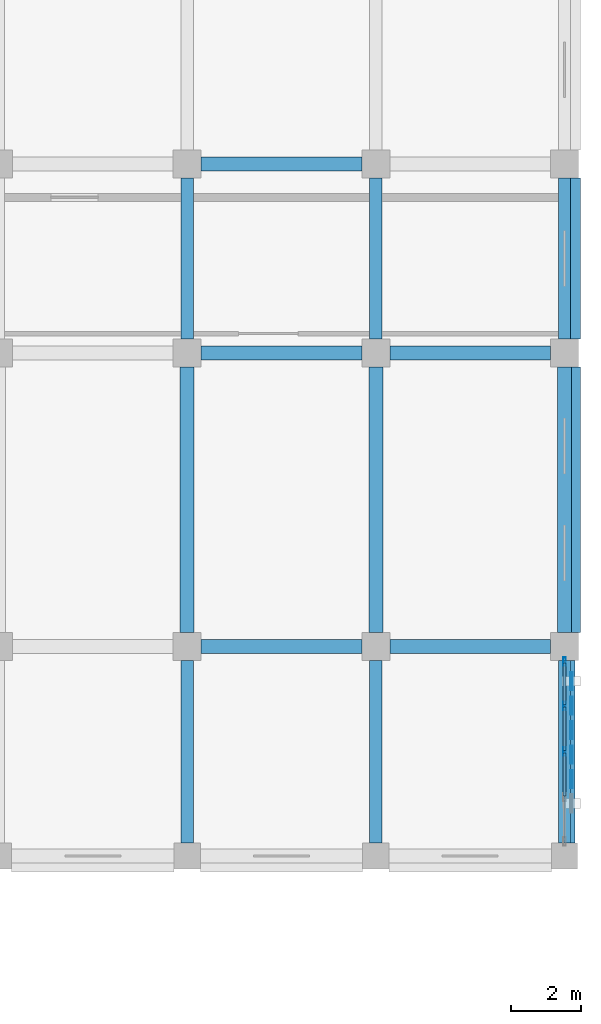
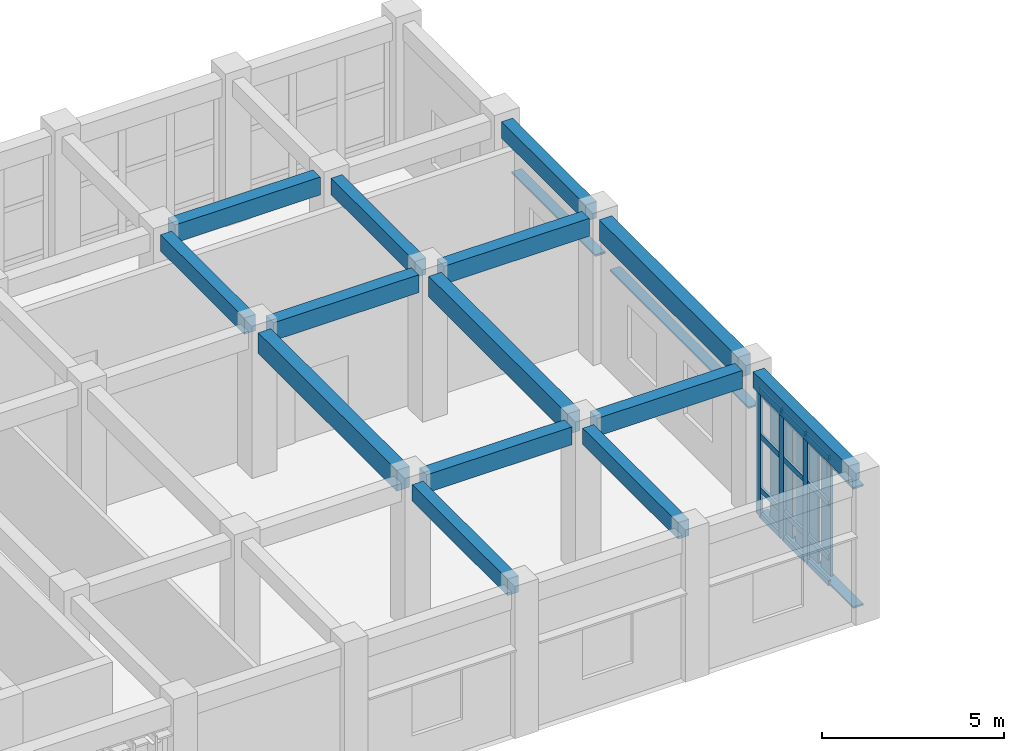
# One storey, part 53 of 93: 24 members, 14 beams, 1 element without a shape of its own.
"""IFC4 building model written with IfcOpenShell, lengths in metres."""

from ifc_helpers import new_model, si_unit, direction, frame, origin, origin_2d, place, context, subcontext, project, spatial, rectangle, hollow_rectangle, extrude, material, layer, layer_set, material_profile, profile_set, type_object, element, aggregate, save


model = new_model("IFC4")

# Units and contexts
model_context = context("Model", 3, precision=1e-05, world=origin(), true_north=direction((0.0, 1.0)))
body_context = subcontext(model_context, "Body", "Model", "MODEL_VIEW")
ifc_project = project(units=[si_unit("LENGTHUNIT", "METRE"), si_unit("AREAUNIT", "SQUARE_METRE"), si_unit("VOLUMEUNIT", "CUBIC_METRE"), si_unit("PLANEANGLEUNIT", "RADIAN"), si_unit("MASSUNIT", "GRAM", prefix="KILO")], contexts=[model_context])

# Site, building, storey
site_placement = place(None, origin())
site = spatial("IfcSite", under=ifc_project, at=site_placement, CompositionType="ELEMENT")
building_placement = place(site_placement, origin())
building = spatial("IfcBuilding", under=site, at=building_placement, Name="Krzemoval Escarpment Law Courts", CompositionType="ELEMENT")
storey_placement = place(building_placement, frame((0.0, 0.0, 10.199951171875)))
storey = spatial("IfcBuildingStorey", under=building, at=storey_placement, Name="L02", CompositionType="ELEMENT", Elevation=10.199951171875)

# Beams
ifc_material_1 = material(Name="Concrete C40/50", Category="concrete")
ifc_material_profile_1 = material_profile(ifc_material_1, rectangle(XDim=0.35009765625, YDim=0.550048828125, at=origin_2d()), Name="RCB 350x550")
ifc_profile_set_1 = profile_set([ifc_material_profile_1], Name="Concrete C40/50")
beam_type_1 = type_object("IfcBeamType", Name="BM-RC-350x550", PredefinedType="BEAM", material=ifc_profile_set_1)
beam_1_placement = place(storey_placement, frame((162.0, 93.97509765625, 4.545166015625), z_axis=(0.0, 1.0, 0.0), x_axis=(-1.0, 0.0, 0.0)))
element("IfcBeam", 1, at=beam_1_placement, inside=storey, type_object=beam_type_1, Name="Beam FG-L02-1999", PredefinedType="BEAM", context=body_context, shape_type="SweptSolid", body=[
    extrude(rectangle(XDim=0.35009765625, YDim=0.550048828125, at=origin_2d()), origin(), (0.0, 0.0, 1.0), 5.224853515625),
])
beam_2_placement = place(storey_placement, frame((162.0, 108.39990234375, 4.545166015625), z_axis=(0.0, 1.0, 0.0), x_axis=(-1.0, 0.0, 0.0)))
element("IfcBeam", 2, at=beam_2_placement, inside=storey, type_object=beam_type_1, Name="Beam FG-L02-2001", PredefinedType="BEAM", context=body_context, shape_type="SweptSolid", body=[
    extrude(rectangle(XDim=0.35009765625, YDim=0.550048828125, at=origin_2d()), origin(), (0.0, 0.0, 1.0), 4.60009765625),
])
beam_3_placement = place(storey_placement, frame((167.39990234375, 93.97509765625, 4.545166015625), z_axis=(0.0, 1.0, 0.0), x_axis=(-1.0, 0.0, 0.0)))
element("IfcBeam", 3, at=beam_3_placement, inside=storey, type_object=beam_type_1, Name="Beam FG-L02-2003", PredefinedType="BEAM", context=body_context, shape_type="SweptSolid", body=[
    extrude(rectangle(XDim=0.35009765625, YDim=0.550048828125, at=origin_2d()), origin(), (0.0, 0.0, 1.0), 5.224853515625),
])
beam_4_placement = place(storey_placement, frame((167.39990234375, 108.39990234375, 4.545166015625), z_axis=(0.0, 1.0, 0.0), x_axis=(-1.0, 0.0, 0.0)))
element("IfcBeam", 4, at=beam_4_placement, inside=storey, type_object=beam_type_1, Name="Beam FG-L02-2005", PredefinedType="BEAM", context=body_context, shape_type="SweptSolid", body=[
    extrude(rectangle(XDim=0.35009765625, YDim=0.550048828125, at=origin_2d()), origin(), (0.0, 0.0, 1.0), 4.60009765625),
])
beam_5_placement = place(storey_placement, frame((172.800048828125, 93.97509765625, 4.545166015625), z_axis=(0.0, 1.0, 0.0), x_axis=(-1.0, 0.0, 0.0)))
element("IfcBeam", 5, at=beam_5_placement, inside=storey, type_object=beam_type_1, Name="Beam FG-L02-2007", PredefinedType="BEAM", context=body_context, shape_type="SweptSolid", body=[
    extrude(rectangle(XDim=0.35009765625, YDim=0.550048828125, at=origin_2d()), origin(), (0.0, 0.0, 1.0), 5.224853515625),
])
beam_6_placement = place(storey_placement, frame((172.800048828125, 108.39990234375, 4.545166015625), z_axis=(0.0, 1.0, 0.0), x_axis=(-1.0, 0.0, 0.0)))
element("IfcBeam", 6, at=beam_6_placement, inside=storey, type_object=beam_type_1, Name="Beam FG-L02-2009", PredefinedType="BEAM", context=body_context, shape_type="SweptSolid", body=[
    extrude(rectangle(XDim=0.35009765625, YDim=0.550048828125, at=origin_2d()), origin(), (0.0, 0.0, 1.0), 4.60009765625),
])
ifc_material_2 = material(Name="Concrete C40/50", Category="concrete")
ifc_material_profile_2 = material_profile(ifc_material_2, rectangle(XDim=0.39990234375, YDim=0.60009765625, at=origin_2d()), Name="RCB 400x600")
ifc_profile_set_2 = profile_set([ifc_material_profile_2], Name="Concrete C40/50")
beam_type_2 = type_object("IfcBeamType", Name="BM-RC-400x600", PredefinedType="BEAM", material=ifc_profile_set_2)
beam_7_placement = place(storey_placement, frame((162.39990234375, 99.60009765625, 4.52001953125), z_axis=(1.0, 0.0, 0.0), x_axis=(0.0, 1.0, 0.0)))
element("IfcBeam", 7, at=beam_7_placement, inside=storey, type_object=beam_type_2, Name="Beam FG-L02-1825", PredefinedType="BEAM", context=body_context, shape_type="SweptSolid", body=[
    extrude(rectangle(XDim=0.39990234375, YDim=0.60009765625, at=origin_2d()), origin(), (0.0, 0.0, 1.0), 4.60009765625),
])
beam_8_placement = place(storey_placement, frame((167.800048828125, 99.60009765625, 4.52001953125), z_axis=(1.0, 0.0, 0.0), x_axis=(0.0, 1.0, 0.0)))
element("IfcBeam", 8, at=beam_8_placement, inside=storey, type_object=beam_type_2, Name="Beam FG-L02-1826", PredefinedType="BEAM", context=body_context, shape_type="SweptSolid", body=[
    extrude(rectangle(XDim=0.39990234375, YDim=0.60009765625, at=origin_2d()), origin(), (0.0, 0.0, 1.0), 4.599853515625),
])
beam_9_placement = place(storey_placement, frame((162.39990234375, 108.0, 4.52001953125), z_axis=(1.0, 0.0, 0.0), x_axis=(0.0, 1.0, 0.0)))
element("IfcBeam", 9, at=beam_9_placement, inside=storey, type_object=beam_type_2, Name="Beam FG-L02-1833", PredefinedType="BEAM", context=body_context, shape_type="SweptSolid", body=[
    extrude(rectangle(XDim=0.39990234375, YDim=0.60009765625, at=origin_2d()), origin(), (0.0, 0.0, 1.0), 4.60009765625),
])
beam_10_placement = place(storey_placement, frame((167.800048828125, 108.0, 4.52001953125), z_axis=(1.0, 0.0, 0.0), x_axis=(0.0, 1.0, 0.0)))
element("IfcBeam", 10, at=beam_10_placement, inside=storey, type_object=beam_type_2, Name="Beam FG-L02-1834", PredefinedType="BEAM", context=body_context, shape_type="SweptSolid", body=[
    extrude(rectangle(XDim=0.39990234375, YDim=0.60009765625, at=origin_2d()), origin(), (0.0, 0.0, 1.0), 4.599853515625),
])
beam_11_placement = place(storey_placement, frame((162.39990234375, 113.39990234375, 4.52001953125), z_axis=(1.0, 0.0, 0.0), x_axis=(0.0, 1.0, 0.0)))
element("IfcBeam", 11, at=beam_11_placement, inside=storey, type_object=beam_type_2, Name="Beam FG-L02-1844", PredefinedType="BEAM", context=body_context, shape_type="SweptSolid", body=[
    extrude(rectangle(XDim=0.39990234375, YDim=0.60009765625, at=origin_2d()), origin(), (0.0, 0.0, 1.0), 4.60009765625),
])
ifc_material_3 = material(Name="Concrete C40/50", Category="concrete")
ifc_material_profile_3 = material_profile(ifc_material_3, rectangle(XDim=0.39990234375, YDim=0.699951171875, at=origin_2d()), Name="RCB 400x700")
ifc_profile_set_3 = profile_set([ifc_material_profile_3], Name="Concrete C40/50")
beam_type_3 = type_object("IfcBeamType", Name="BM-RC-400x700", PredefinedType="BEAM", material=ifc_profile_set_3)
for number, where, z_axis, x_axis, name in (
    (12, (162.0, 100.0, 4.469970703125), (0.0, 1.0, 0.0), (-1.0, 0.0, 0.0), "Beam FG-L02-2000"),
    (13, (167.39990234375, 100.0, 4.469970703125), (0.0, 1.0, 0.0), (-1.0, 0.0, 0.0), "Beam FG-L02-2004"),
    (14, (172.800048828125, 100.0, 4.469970703125), (0.0, 1.0, 0.0), (-1.0, 0.0, 0.0), "Beam FG-L02-2008"),
):
    element("IfcBeam", number, at=place(storey_placement, frame(where, z_axis=z_axis, x_axis=x_axis)), inside=storey, type_object=beam_type_3, Name=name, PredefinedType="BEAM", context=body_context, shape_type="SweptSolid", body=[
        extrude(rectangle(XDim=0.39990234375, YDim=0.699951171875, at=origin_2d()), origin(), (0.0, 0.0, 1.0), 7.60009765625),
    ])

# Curtain wall, members
ifc_material_4 = material(Name="Aluminium 6063-T6", Category="aluminium")
ifc_layer = layer(ifc_material_4, 0.239990234375)
ifc_layer_set = layer_set([ifc_layer], Name="Aluminium 6063-T6")
curtain_wall_type = type_object("IfcCurtainWallType", Name="CW-CHMB-4800", PredefinedType="USERDEFINED", material=ifc_layer_set)
curtain_wall_placement = place(storey_placement, origin())
curtain_wall = element("IfcCurtainWall", 15, at=curtain_wall_placement, inside=storey, type_object=curtain_wall_type, Name="Unitised Curtain Wall FCW-L02-092", ObjectType="UNITISED_CURTAIN_WALL", PredefinedType="USERDEFINED")
ifc_material_5 = material(Name="Aluminium 6063-T6", Category="aluminium")
ifc_material_profile_4 = material_profile(ifc_material_5, hollow_rectangle(XDim=0.074951171875, YDim=0.239990234375, WallThickness=0.0048828125, at=origin_2d()), Name="ALU M75x240")
ifc_profile_set_4 = profile_set([ifc_material_profile_4], Name="Aluminium 6063-T6")
member_type_1 = type_object("IfcMemberType", Name="CWM-75x240", PredefinedType="MULLION", material=ifc_profile_set_4)
member_1_placement = place(storey_placement, frame((172.800048828125, 99.16259765625, 0.0), z_axis=(0.0, 0.0, 1.0), x_axis=(1.0, 0.0, 0.0)))
member_1 = element("IfcMember", 16, at=member_1_placement, type_object=member_type_1, Name="FCW-L02-092 mullion 1", PredefinedType="MULLION", context=body_context, shape_type="SweptSolid", body=[
    extrude(hollow_rectangle(XDim=0.074951171875, YDim=0.239990234375, WallThickness=0.0048828125, at=origin_2d()), origin(), (0.0, 0.0, 1.0), 4.27001953125),
])
member_2_placement = place(storey_placement, frame((172.800048828125, 97.893798828125, 0.0), z_axis=(0.0, 0.0, 1.0), x_axis=(1.0, 0.0, 0.0)))
member_2 = element("IfcMember", 17, at=member_2_placement, type_object=member_type_1, Name="FCW-L02-092 mullion 2", PredefinedType="MULLION", context=body_context, shape_type="SweptSolid", body=[
    extrude(hollow_rectangle(XDim=0.074951171875, YDim=0.239990234375, WallThickness=0.0048828125, at=origin_2d()), origin(), (0.0, 0.0, 1.0), 4.27001953125),
])
member_3_placement = place(storey_placement, frame((172.800048828125, 96.58740234375, 0.0), z_axis=(0.0, 0.0, 1.0), x_axis=(1.0, 0.0, 0.0)))
member_3 = element("IfcMember", 18, at=member_3_placement, type_object=member_type_1, Name="FCW-L02-092 mullion 3", PredefinedType="MULLION", context=body_context, shape_type="SweptSolid", body=[
    extrude(hollow_rectangle(XDim=0.074951171875, YDim=0.239990234375, WallThickness=0.0048828125, at=origin_2d()), origin(), (0.0, 0.0, 1.0), 4.27001953125),
])
ifc_material_6 = material(Name="Aluminium 6063-T6", Category="aluminium")
ifc_material_profile_5 = material_profile(ifc_material_6, hollow_rectangle(XDim=0.074951171875, YDim=0.179931640625, WallThickness=0.0048828125, at=origin_2d()), Name="ALU T75x180")
ifc_profile_set_5 = profile_set([ifc_material_profile_5], Name="Aluminium 6063-T6")
member_type_2 = type_object("IfcMemberType", Name="CWT-75x180", PredefinedType="USERDEFINED", material=ifc_profile_set_5)
member_4_placement = place(storey_placement, frame((172.800048828125, 99.125, 0.03759765625), z_axis=(0.0, -1.0, 0.0), x_axis=(1.0, 0.0, 0.0)))
member_4 = element("IfcMember", 19, at=member_4_placement, type_object=member_type_2, Name="FCW-L02-092 transom 1.1", ObjectType="TRANSOM", PredefinedType="USERDEFINED", context=body_context, shape_type="SweptSolid", body=[
    extrude(hollow_rectangle(XDim=0.074951171875, YDim=0.179931640625, WallThickness=0.0048828125, at=origin_2d()), origin(), (0.0, 0.0, 1.0), 1.19384765625),
])
member_5_placement = place(storey_placement, frame((172.800048828125, 99.125, 0.900146484375), z_axis=(0.0, -1.0, 0.0), x_axis=(1.0, 0.0, 0.0)))
member_5 = element("IfcMember", 20, at=member_5_placement, type_object=member_type_2, Name="FCW-L02-092 transom 1.2", ObjectType="TRANSOM", PredefinedType="USERDEFINED", context=body_context, shape_type="SweptSolid", body=[
    extrude(hollow_rectangle(XDim=0.074951171875, YDim=0.179931640625, WallThickness=0.0048828125, at=origin_2d()), origin(), (0.0, 0.0, 1.0), 1.19384765625),
])
member_6_placement = place(storey_placement, frame((172.800048828125, 99.125, 2.699951171875), z_axis=(0.0, -1.0, 0.0), x_axis=(1.0, 0.0, 0.0)))
member_6 = element("IfcMember", 21, at=member_6_placement, type_object=member_type_2, Name="FCW-L02-092 transom 1.3", ObjectType="TRANSOM", PredefinedType="USERDEFINED", context=body_context, shape_type="SweptSolid", body=[
    extrude(hollow_rectangle(XDim=0.074951171875, YDim=0.179931640625, WallThickness=0.0048828125, at=origin_2d()), origin(), (0.0, 0.0, 1.0), 1.19384765625),
])
member_7_placement = place(storey_placement, frame((172.800048828125, 99.125, 4.232666015625), z_axis=(0.0, -1.0, 0.0), x_axis=(1.0, 0.0, 0.0)))
member_7 = element("IfcMember", 22, at=member_7_placement, type_object=member_type_2, Name="FCW-L02-092 transom 1.4", ObjectType="TRANSOM", PredefinedType="USERDEFINED", context=body_context, shape_type="SweptSolid", body=[
    extrude(hollow_rectangle(XDim=0.074951171875, YDim=0.179931640625, WallThickness=0.0048828125, at=origin_2d()), origin(), (0.0, 0.0, 1.0), 1.19384765625),
])
member_8_placement = place(storey_placement, frame((172.800048828125, 97.856201171875, 0.03759765625), z_axis=(0.0, -1.0, 0.0), x_axis=(1.0, 0.0, 0.0)))
member_8 = element("IfcMember", 23, at=member_8_placement, type_object=member_type_2, Name="FCW-L02-092 transom 2.1", ObjectType="TRANSOM", PredefinedType="USERDEFINED", context=body_context, shape_type="SweptSolid", body=[
    extrude(hollow_rectangle(XDim=0.074951171875, YDim=0.179931640625, WallThickness=0.0048828125, at=origin_2d()), origin(), (0.0, 0.0, 1.0), 1.231201171875),
])
member_9_placement = place(storey_placement, frame((172.800048828125, 97.856201171875, 0.900146484375), z_axis=(0.0, -1.0, 0.0), x_axis=(1.0, 0.0, 0.0)))
member_9 = element("IfcMember", 24, at=member_9_placement, type_object=member_type_2, Name="FCW-L02-092 transom 2.2", ObjectType="TRANSOM", PredefinedType="USERDEFINED", context=body_context, shape_type="SweptSolid", body=[
    extrude(hollow_rectangle(XDim=0.074951171875, YDim=0.179931640625, WallThickness=0.0048828125, at=origin_2d()), origin(), (0.0, 0.0, 1.0), 1.231201171875),
])
member_10_placement = place(storey_placement, frame((172.800048828125, 97.856201171875, 2.699951171875), z_axis=(0.0, -1.0, 0.0), x_axis=(1.0, 0.0, 0.0)))
member_10 = element("IfcMember", 25, at=member_10_placement, type_object=member_type_2, Name="FCW-L02-092 transom 2.3", ObjectType="TRANSOM", PredefinedType="USERDEFINED", context=body_context, shape_type="SweptSolid", body=[
    extrude(hollow_rectangle(XDim=0.074951171875, YDim=0.179931640625, WallThickness=0.0048828125, at=origin_2d()), origin(), (0.0, 0.0, 1.0), 1.231201171875),
])
member_11_placement = place(storey_placement, frame((172.800048828125, 97.856201171875, 4.232666015625), z_axis=(0.0, -1.0, 0.0), x_axis=(1.0, 0.0, 0.0)))
member_11 = element("IfcMember", 26, at=member_11_placement, type_object=member_type_2, Name="FCW-L02-092 transom 2.4", ObjectType="TRANSOM", PredefinedType="USERDEFINED", context=body_context, shape_type="SweptSolid", body=[
    extrude(hollow_rectangle(XDim=0.074951171875, YDim=0.179931640625, WallThickness=0.0048828125, at=origin_2d()), origin(), (0.0, 0.0, 1.0), 1.231201171875),
])
member_12_placement = place(storey_placement, frame((172.800048828125, 96.550048828125, 0.03759765625), z_axis=(0.0, -1.0, 0.0), x_axis=(1.0, 0.0, 0.0)))
member_12 = element("IfcMember", 27, at=member_12_placement, type_object=member_type_2, Name="FCW-L02-092 transom 3.1", ObjectType="TRANSOM", PredefinedType="USERDEFINED", context=body_context, shape_type="SweptSolid", body=[
    extrude(hollow_rectangle(XDim=0.074951171875, YDim=0.179931640625, WallThickness=0.0048828125, at=origin_2d()), origin(), (0.0, 0.0, 1.0), 1.231201171875),
])
member_13_placement = place(storey_placement, frame((172.800048828125, 96.550048828125, 0.900146484375), z_axis=(0.0, -1.0, 0.0), x_axis=(1.0, 0.0, 0.0)))
member_13 = element("IfcMember", 28, at=member_13_placement, type_object=member_type_2, Name="FCW-L02-092 transom 3.2", ObjectType="TRANSOM", PredefinedType="USERDEFINED", context=body_context, shape_type="SweptSolid", body=[
    extrude(hollow_rectangle(XDim=0.074951171875, YDim=0.179931640625, WallThickness=0.0048828125, at=origin_2d()), origin(), (0.0, 0.0, 1.0), 1.231201171875),
])
member_14_placement = place(storey_placement, frame((172.800048828125, 96.550048828125, 2.699951171875), z_axis=(0.0, -1.0, 0.0), x_axis=(1.0, 0.0, 0.0)))
member_14 = element("IfcMember", 29, at=member_14_placement, type_object=member_type_2, Name="FCW-L02-092 transom 3.3", ObjectType="TRANSOM", PredefinedType="USERDEFINED", context=body_context, shape_type="SweptSolid", body=[
    extrude(hollow_rectangle(XDim=0.074951171875, YDim=0.179931640625, WallThickness=0.0048828125, at=origin_2d()), origin(), (0.0, 0.0, 1.0), 1.231201171875),
])
member_15_placement = place(storey_placement, frame((172.800048828125, 96.550048828125, 4.232666015625), z_axis=(0.0, -1.0, 0.0), x_axis=(1.0, 0.0, 0.0)))
member_15 = element("IfcMember", 30, at=member_15_placement, type_object=member_type_2, Name="FCW-L02-092 transom 3.4", ObjectType="TRANSOM", PredefinedType="USERDEFINED", context=body_context, shape_type="SweptSolid", body=[
    extrude(hollow_rectangle(XDim=0.074951171875, YDim=0.179931640625, WallThickness=0.0048828125, at=origin_2d()), origin(), (0.0, 0.0, 1.0), 1.231201171875),
])
aggregate(curtain_wall, [member_1, member_2, member_3, member_4, member_5, member_6, member_7, member_8, member_9, member_10, member_11, member_12, member_13, member_14, member_15])

# Members
ifc_material_7 = material(Name="Anodised Aluminium Alloy 6063-T6", Category="aluminium")
ifc_material_profile_6 = material_profile(ifc_material_7, hollow_rectangle(XDim=0.06005859375, YDim=0.320068359375, WallThickness=0.00390625, at=origin_2d()), Name="ALU LVR 60x320")
ifc_profile_set_6 = profile_set([ifc_material_profile_6], Name="Anodised Aluminium Alloy 6063-T6")
member_type_3 = type_object("IfcMemberType", Name="LVR-ALU-320", PredefinedType="USERDEFINED", material=ifc_profile_set_6)
member_16_placement = place(storey_placement, frame((173.10009765625, 113.0, 3.010009765625), z_axis=(0.0, -1.0, 0.0), x_axis=(0.0, 0.0, 1.0)))
element("IfcMember", 31, at=member_16_placement, inside=storey, type_object=member_type_3, Name="Window Sunshade Louvre FLV-L02-0560", ObjectType="SUNSHADE_LOUVRE", PredefinedType="USERDEFINED", context=body_context, shape_type="SweptSolid", body=[
    extrude(hollow_rectangle(XDim=0.06005859375, YDim=0.320068359375, WallThickness=0.00390625, at=origin_2d()), origin(), (0.0, 0.0, 1.0), 4.60009765625),
])
member_17_placement = place(storey_placement, frame((173.10009765625, 107.60009765625, 3.010009765625), z_axis=(0.0, -1.0, 0.0), x_axis=(0.0, 0.0, 1.0)))
element("IfcMember", 32, at=member_17_placement, inside=storey, type_object=member_type_3, Name="Window Sunshade Louvre FLV-L02-0561", ObjectType="SUNSHADE_LOUVRE", PredefinedType="USERDEFINED", context=body_context, shape_type="SweptSolid", body=[
    extrude(hollow_rectangle(XDim=0.06005859375, YDim=0.320068359375, WallThickness=0.00390625, at=origin_2d()), origin(), (0.0, 0.0, 1.0), 7.60009765625),
])
for number, where, z_axis, x_axis, name in (
    (33, (172.93994140625, 99.199951171875, 0.030029296875), (0.0, -1.0, 0.0), (0.0, 0.0, 1.0), "Sunshade Support Rail FSR-L02-0562"),
    (34, (172.93994140625, 99.199951171875, 4.02001953125), (0.0, -1.0, 0.0), (0.0, 0.0, 1.0), "Sunshade Support Rail FSR-L02-0563"),
):
    element("IfcMember", number, at=place(storey_placement, frame(where, z_axis=z_axis, x_axis=x_axis)), inside=storey, type_object=member_type_3, Name=name, ObjectType="SUNSHADE_LOUVRE", PredefinedType="USERDEFINED", context=body_context, shape_type="SweptSolid", body=[
        extrude(hollow_rectangle(XDim=0.06005859375, YDim=0.320068359375, WallThickness=0.00390625, at=origin_2d()), origin(), (0.0, 0.0, 1.0), 5.224853515625),
    ])
ifc_material_8 = material(Name="Anodised Aluminium Alloy 6063-T6", Category="aluminium")
ifc_material_profile_7 = material_profile(ifc_material_8, hollow_rectangle(XDim=0.06494140625, YDim=0.52001953125, WallThickness=0.00439453125, at=origin_2d()), Name="ALU LVR 65x520")
ifc_profile_set_7 = profile_set([ifc_material_profile_7], Name="Anodised Aluminium Alloy 6063-T6")
member_type_4 = type_object("IfcMemberType", Name="LVR-ALU-520", PredefinedType="USERDEFINED", material=ifc_profile_set_7)
for number, where, z_axis, x_axis, name in (
    (35, (173.0, 98.60009765625, 0.06005859375), (0.0, 0.0, 1.0), (1.0, 0.0, 0.0), "Sunshade Louvre Fin FLV-L02-0564"),
    (36, (173.0, 97.89990234375, 0.06005859375), (0.0, 0.0, 1.0), (1.0, 0.0, 0.0), "Sunshade Louvre Fin FLV-L02-0565"),
    (37, (173.0, 97.199951171875, 0.06005859375), (0.0, 0.0, 1.0), (1.0, 0.0, 0.0), "Sunshade Louvre Fin FLV-L02-0566"),
    (38, (173.0, 96.5, 0.06005859375), (0.0, 0.0, 1.0), (1.0, 0.0, 0.0), "Sunshade Louvre Fin FLV-L02-0567"),
    (39, (173.0, 95.800048828125, 0.06005859375), (0.0, 0.0, 1.0), (1.0, 0.0, 0.0), "Sunshade Louvre Fin FLV-L02-0568"),
):
    element("IfcMember", number, at=place(storey_placement, frame(where, z_axis=z_axis, x_axis=x_axis)), inside=storey, type_object=member_type_4, Name=name, ObjectType="SUNSHADE_LOUVRE", PredefinedType="USERDEFINED", context=body_context, shape_type="SweptSolid", body=[
        extrude(hollow_rectangle(XDim=0.06494140625, YDim=0.52001953125, WallThickness=0.00439453125, at=origin_2d()), origin(), (0.0, 0.0, 1.0), 4.2099609375),
    ])

save(model, "model.ifc")
